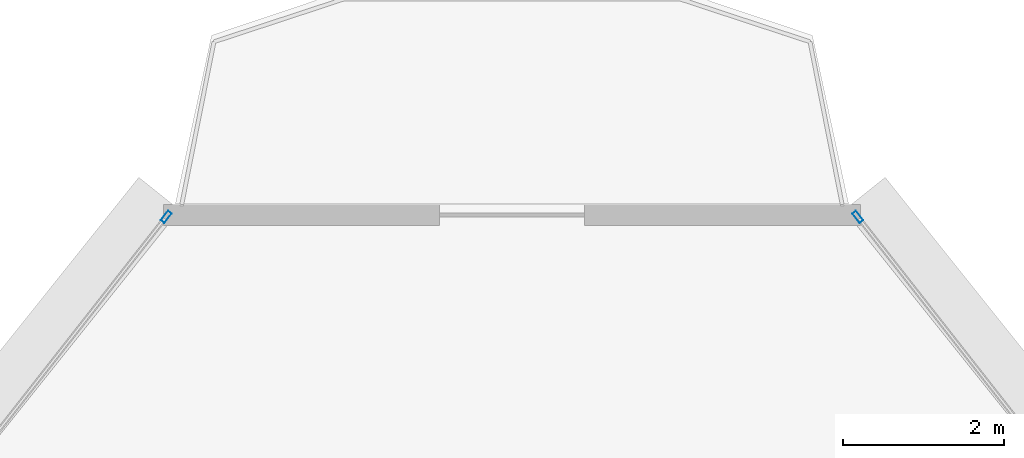
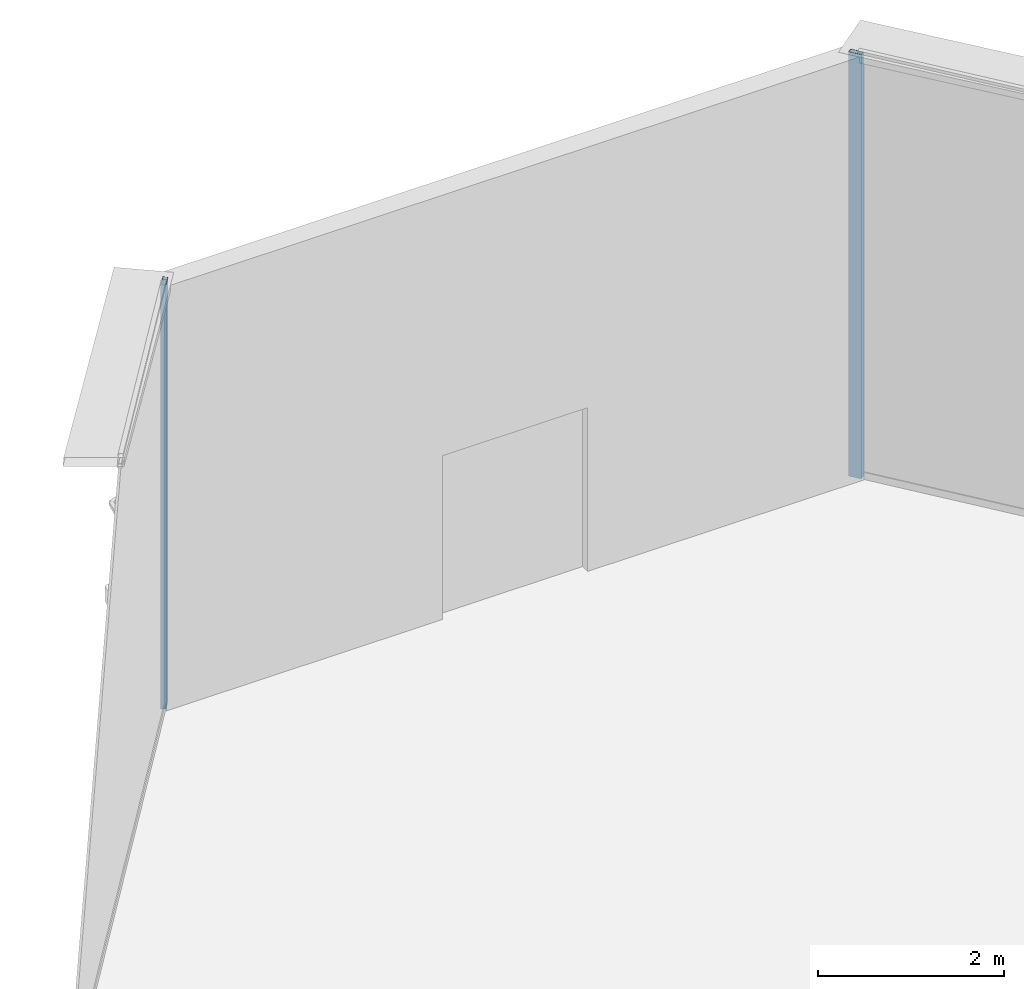
# One storey, part 30 of 40: 2 members, 2 elements without a shape of their own.
"""IFC4 building model written with IfcOpenShell, lengths in metres."""

from ifc_helpers import new_model, si_unit, direction, frame, origin, origin_2d, place, context, subcontext, project, spatial, hollow_rectangle, extrude, source, transform, mapped, material, layer, layer_set, material_profile, profile_set, type_object, element, aggregate, save


model = new_model("IFC4")

# Units and contexts
model_context = context("Model", 3, precision=1e-05, world=origin(), true_north=direction((0.0, 1.0)))
body_context = subcontext(model_context, "Body", "Model", "MODEL_VIEW")
ifc_project = project(units=[si_unit("LENGTHUNIT", "METRE"), si_unit("AREAUNIT", "SQUARE_METRE"), si_unit("VOLUMEUNIT", "CUBIC_METRE"), si_unit("PLANEANGLEUNIT", "RADIAN"), si_unit("MASSUNIT", "GRAM", prefix="KILO"), si_unit("THERMODYNAMICTEMPERATUREUNIT", "KELVIN"), si_unit("POWERUNIT", "WATT")], contexts=[model_context])

# Site, building, storey
site_placement = place(None, origin())
site = spatial("IfcSite", under=ifc_project, at=site_placement, CompositionType="ELEMENT")
building_placement = place(site_placement, origin())
building = spatial("IfcBuilding", under=site, at=building_placement, Name="Yunzhuo Pagoda Commons", CompositionType="ELEMENT")
storey_placement = place(building_placement, frame((0.0, 0.0, 170.31005859375)))
storey = spatial("IfcBuildingStorey", under=building, at=storey_placement, Name="L43", CompositionType="ELEMENT", Elevation=170.31005859375)

# Curtain wall, member
ifc_material = material(Name="Anodized aluminium 6063-T6", Category="aluminium")
ifc_layer = layer(ifc_material, 0.14990234375)
ifc_layer_set = layer_set([ifc_layer], Name="Anodized aluminium 6063-T6")
curtain_wall_type = type_object("IfcCurtainWallType", Name="CW-MID Mid-Zone Ribbon Curtain Wall", PredefinedType="NOTDEFINED", material=ifc_layer_set)
curtain_wall_1_placement = place(storey_placement, origin())
curtain_wall_1 = element("IfcCurtainWall", 1, at=curtain_wall_1_placement, inside=storey, type_object=curtain_wall_type, Name="L43 curtain wall CW-L43-F2B5", PredefinedType="NOTDEFINED")
ifc_material_profile = material_profile(ifc_material, hollow_rectangle(XDim=0.06005859375, YDim=0.14990234375, WallThickness=0.00390625, at=origin_2d()), Name="Anodized aluminium 6063-T6")
ifc_profile_set = profile_set([ifc_material_profile], Name="Anodized aluminium 6063-T6")
member_type = type_object("IfcMemberType", Name="CW-MID-M Mullion RHS 150x60x4", PredefinedType="MULLION", material=ifc_profile_set)
shared_shape = source(origin(), body_context, "Body", "SweptSolid", [
    extrude(hollow_rectangle(XDim=0.06005859375, YDim=0.14990234375, WallThickness=0.00390625, at=origin_2d()), origin(), (0.0, 0.0, 1.0), 5.56982421875),
])
member_1_placement = place(storey_placement, frame((52.29443359375, 83.974365234375, 0.0), z_axis=(0.0, 0.0, 1.0), x_axis=(-0.786855306064, -0.617137527071, 0.0)))
member_1 = element("IfcMember", 2, at=member_1_placement, type_object=member_type, Name="CW mullion 2", PredefinedType="MULLION", context=body_context, shape_type="MappedRepresentation", body=[
    mapped(shared_shape, transform((0.0, 0.0, 0.0), scale=1.0)),
])
aggregate(curtain_wall_1, [member_1])

curtain_wall_2_placement = place(storey_placement, origin())
curtain_wall_2 = element("IfcCurtainWall", 3, at=curtain_wall_2_placement, inside=storey, type_object=curtain_wall_type, Name="L43 curtain wall CW-L43-F3B1", PredefinedType="NOTDEFINED")
member_2_placement = place(storey_placement, frame((43.7060546875, 83.974365234375, 0.0), z_axis=(0.0, 0.0, 1.0), x_axis=(0.786855306064, -0.617137527071, 0.0)))
member_2 = element("IfcMember", 4, at=member_2_placement, type_object=member_type, Name="CW mullion 1", PredefinedType="MULLION", context=body_context, shape_type="MappedRepresentation", body=[
    mapped(shared_shape, transform((0.0, 0.0, 0.0), scale=1.0)),
])
aggregate(curtain_wall_2, [member_2])

save(model, "model.ifc")
